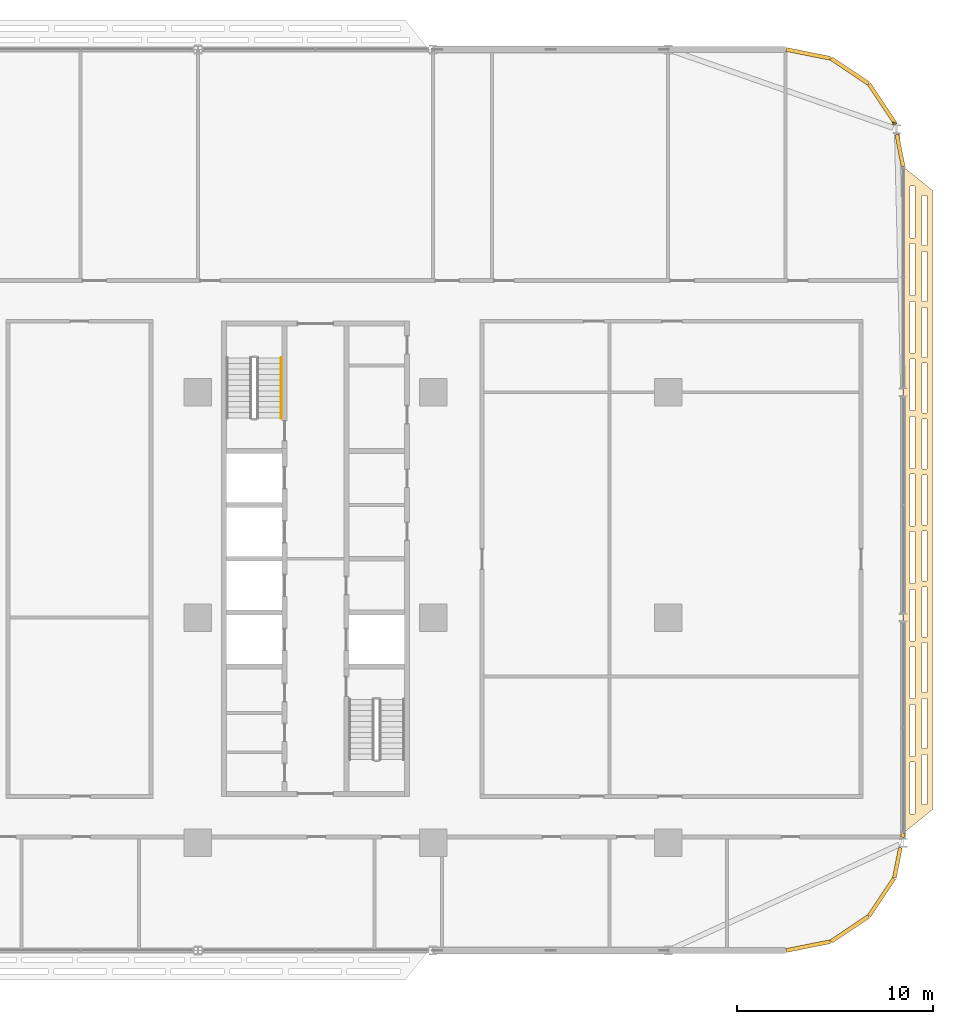
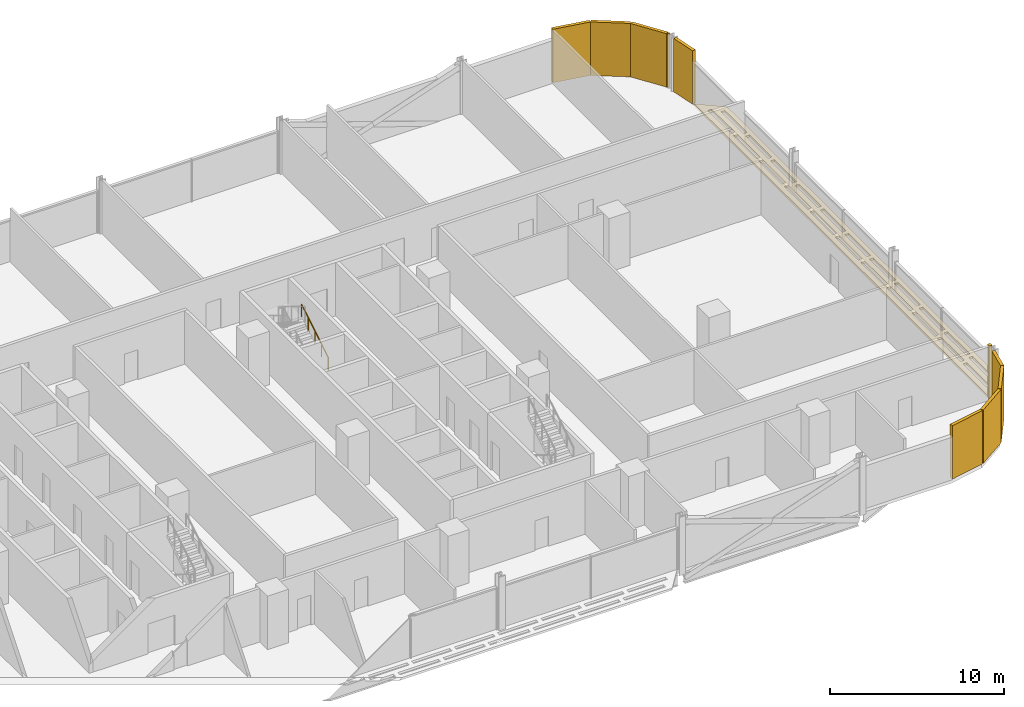
# One storey, part 29 of 29: 11 coverings, 1 railing.
"""IFC4 building model written with IfcOpenShell, lengths in metres."""

from ifc_helpers import new_model, si_unit, direction, frame, origin, origin_2d, place, context, subcontext, project, spatial, polyline, rectangle, circle, outline, extrude, material, layer, layer_set, type_object, element, save


model = new_model("IFC4")

# Units and contexts
model_context = context("Model", 3, precision=1e-05, world=origin(), true_north=direction((0.0, 1.0)))
body_context = subcontext(model_context, "Body", "Model", "MODEL_VIEW")
ifc_project = project(units=[si_unit("LENGTHUNIT", "METRE"), si_unit("AREAUNIT", "SQUARE_METRE"), si_unit("VOLUMEUNIT", "CUBIC_METRE"), si_unit("PLANEANGLEUNIT", "RADIAN"), si_unit("MASSUNIT", "GRAM", prefix="KILO")], contexts=[model_context])

# Site, building, storey
site_placement = place(None, origin())
site = spatial("IfcSite", under=ifc_project, at=site_placement, CompositionType="ELEMENT")
building_placement = place(site_placement, origin())
building = spatial("IfcBuilding", under=site, at=building_placement, Name="Mahtab Terrace Research Tower", CompositionType="ELEMENT")
storey_placement = place(building_placement, frame((0.0, 0.0, 93.0)))
storey = spatial("IfcBuildingStorey", under=building, at=storey_placement, Name="L21", CompositionType="ELEMENT", Elevation=93.0)

# Coverings
ifc_material_1 = material(Name="Black aluminium cladding panel", Category="aluminium")
ifc_layer_1 = layer(ifc_material_1, 0.199951171875)
ifc_layer_set_1 = layer_set([ifc_layer_1], Name="Black metal corner cladding 200")
covering_type_1 = type_object("IfcCoveringType", Name="Black metal corner cladding 200", PredefinedType="CLADDING", material=ifc_layer_set_1)
for number, where, z_axis, x_axis, name in (
    (1, (52.89306640625, 26.26953125, 0.0), (0.0, 0.0, 1.0), (-0.555291490808, 0.831655794326, 0.0), "Corner cladding L21 0"),
    (2, (51.26953125, 27.89306640625, 0.0), (0.0, 0.0, 1.0), (-0.831655794326, 0.555291490808, 0.0), "Corner cladding L21 1"),
    (3, (49.14794921875, 28.771484375, 0.0), (0.0, 0.0, 1.0), (-0.980760981187, 0.195212442692, 0.0), "Corner cladding L21 2"),
    (4, (49.14794921875, -16.771484375, 0.0), (0.0, 0.0, 1.0), (0.980760981187, 0.195212442692, 0.0), "Corner cladding L21 31"),
    (5, (51.26953125, -15.89306640625, 0.0), (0.0, 0.0, 1.0), (0.831655794326, 0.555291490808, 0.0), "Corner cladding L21 32"),
    (6, (52.89306640625, -14.26953125, 0.0), (0.0, 0.0, 1.0), (0.555291490808, 0.831655794326, 0.0), "Corner cladding L21 33"),
):
    element("IfcCovering", number, at=place(storey_placement, frame(where, z_axis=z_axis, x_axis=x_axis)), inside=storey, type_object=covering_type_1, Name=name, PredefinedType="CLADDING", context=body_context, shape_type="SweptSolid", body=[
        extrude(rectangle(XDim=2.30126953125, YDim=0.199951171875, at=origin_2d()), origin(), (0.0, 0.0, 1.0), 3.760009765625),
    ])
covering_1_placement = place(storey_placement, frame((53.699462890625, -12.51025390625, 0.0), z_axis=(0.0, 0.0, 1.0), x_axis=(0.195212442692, 0.980760981187, 0.0)))
element("IfcCovering", 7, at=covering_1_placement, inside=storey, type_object=covering_type_1, Name="Corner cladding L21 34", PredefinedType="CLADDING", context=body_context, shape_type="SweptSolid", body=[
    extrude(rectangle(XDim=1.562744140625, YDim=0.199951171875, at=origin_2d()), origin(), (0.0, 0.0, 1.0), 3.760009765625),
])
covering_2_placement = place(storey_placement, frame((53.977294921875, -11.114013671875, 0.0), z_axis=(0.0, 0.0, 1.0), x_axis=(0.195212442692, 0.980760981187, 0.0)))
element("IfcCovering", 8, at=covering_2_placement, inside=storey, type_object=covering_type_1, Name="Corner cladding L21 35", PredefinedType="CLADDING", context=body_context, shape_type="SweptSolid", body=[
    extrude(rectangle(XDim=0.212158203125, YDim=0.199951171875, at=origin_2d()), origin(), (0.0, 0.0, 1.0), 3.760009765625),
])
covering_3_placement = place(storey_placement, frame((53.833740234375, 23.83544921875, 0.0), z_axis=(0.0, 0.0, 1.0), x_axis=(-0.195212442692, 0.980760981187, 0.0)))
element("IfcCovering", 9, at=covering_3_placement, inside=storey, type_object=covering_type_1, Name="Corner cladding L21 39", PredefinedType="CLADDING", context=body_context, shape_type="SweptSolid", body=[
    extrude(rectangle(XDim=1.6640625, YDim=0.199951171875, at=origin_2d()), origin(), (0.0, 0.0, 1.0), 3.760009765625),
])
covering_4_placement = place(storey_placement, frame((53.5556640625, 25.231689453125, 0.0), z_axis=(0.0, 0.0, 1.0), x_axis=(-0.195212442692, 0.980760981187, 0.0)))
element("IfcCovering", 10, at=covering_4_placement, inside=storey, type_object=covering_type_1, Name="Corner cladding L21 40", PredefinedType="CLADDING", context=body_context, shape_type="SweptSolid", body=[
    extrude(rectangle(XDim=0.11083984375, YDim=0.199951171875, at=origin_2d()), origin(), (0.0, 0.0, 1.0), 3.760009765625),
])
ifc_material_2 = material(Name="Black anodised aluminium", Category="aluminium")
ifc_layer_2 = layer(ifc_material_2, 0.14990234375)
ifc_layer_set_2 = layer_set([ifc_layer_2], Name="Horizontal sunshade band")
covering_type_2 = type_object("IfcCoveringType", Name="Horizontal sunshade band", PredefinedType="CLADDING", material=ifc_layer_set_2)
covering_5_placement = place(storey_placement, frame((0.0, 0.0, -0.14990234375)))
element("IfcCovering", 11, at=covering_5_placement, inside=storey, type_object=covering_type_2, Name="Sunshade band L21 36", PredefinedType="CLADDING", context=body_context, shape_type="SweptSolid", body=[
    extrude(outline(polyline([(54.0, -11.0), (54.0, 23.0), (55.5, 21.800048828125), (55.5, -9.800048828125), (54.0, -11.0)]), holes=[polyline([(54.35009765625, -10.02001953125), (54.35009765625, -7.3798828125), (54.60009765625, -7.3798828125), (54.60009765625, -10.02001953125), (54.35009765625, -10.02001953125)]), polyline([(54.35009765625, -7.080078125), (54.35009765625, -4.43994140625), (54.60009765625, -4.43994140625), (54.60009765625, -7.080078125), (54.35009765625, -7.080078125)]), polyline([(54.35009765625, -4.139892578125), (54.35009765625, -1.5), (54.60009765625, -1.5), (54.60009765625, -4.139892578125), (54.35009765625, -4.139892578125)]), polyline([(54.35009765625, -1.199951171875), (54.35009765625, 1.43994140625), (54.60009765625, 1.43994140625), (54.60009765625, -1.199951171875), (54.35009765625, -1.199951171875)]), polyline([(54.35009765625, 1.739990234375), (54.35009765625, 4.3798828125), (54.60009765625, 4.3798828125), (54.60009765625, 1.739990234375), (54.35009765625, 1.739990234375)]), polyline([(54.35009765625, 4.679931640625), (54.35009765625, 7.320068359375), (54.60009765625, 7.320068359375), (54.60009765625, 4.679931640625), (54.35009765625, 4.679931640625)]), polyline([(54.35009765625, 7.6201171875), (54.35009765625, 10.260009765625), (54.60009765625, 10.260009765625), (54.60009765625, 7.6201171875), (54.35009765625, 7.6201171875)]), polyline([(54.35009765625, 10.56005859375), (54.35009765625, 13.199951171875), (54.60009765625, 13.199951171875), (54.60009765625, 10.56005859375), (54.35009765625, 10.56005859375)]), polyline([(54.35009765625, 13.5), (54.35009765625, 16.139892578125), (54.60009765625, 16.139892578125), (54.60009765625, 13.5), (54.35009765625, 13.5)]), polyline([(54.35009765625, 16.43994140625), (54.35009765625, 19.080078125), (54.60009765625, 19.080078125), (54.60009765625, 16.43994140625), (54.35009765625, 16.43994140625)]), polyline([(54.35009765625, 19.3798828125), (54.35009765625, 22.02001953125), (54.60009765625, 22.02001953125), (54.60009765625, 19.3798828125), (54.35009765625, 19.3798828125)]), polyline([(54.949951171875, -9.5400390625), (54.949951171875, -6.987060546875), (55.199951171875, -6.987060546875), (55.199951171875, -9.5400390625), (54.949951171875, -9.5400390625)]), polyline([(54.949951171875, -6.68701171875), (54.949951171875, -4.135009765625), (55.199951171875, -4.135009765625), (55.199951171875, -6.68701171875), (54.949951171875, -6.68701171875)]), polyline([(54.949951171875, -3.8349609375), (54.949951171875, -1.281982421875), (55.199951171875, -1.281982421875), (55.199951171875, -3.8349609375), (54.949951171875, -3.8349609375)]), polyline([(54.949951171875, -0.98193359375), (54.949951171875, 1.571044921875), (55.199951171875, 1.571044921875), (55.199951171875, -0.98193359375), (54.949951171875, -0.98193359375)]), polyline([(54.949951171875, 1.87109375), (54.949951171875, 4.424072265625), (55.199951171875, 4.424072265625), (55.199951171875, 1.87109375), (54.949951171875, 1.87109375)]), polyline([(54.949951171875, 4.72412109375), (54.949951171875, 7.27587890625), (55.199951171875, 7.27587890625), (55.199951171875, 4.72412109375), (54.949951171875, 4.72412109375)]), polyline([(54.949951171875, 7.575927734375), (54.949951171875, 10.12890625), (55.199951171875, 10.12890625), (55.199951171875, 7.575927734375), (54.949951171875, 7.575927734375)]), polyline([(54.949951171875, 10.428955078125), (54.949951171875, 12.98193359375), (55.199951171875, 12.98193359375), (55.199951171875, 10.428955078125), (54.949951171875, 10.428955078125)]), polyline([(54.949951171875, 13.281982421875), (54.949951171875, 15.8349609375), (55.199951171875, 15.8349609375), (55.199951171875, 13.281982421875), (54.949951171875, 13.281982421875)]), polyline([(54.949951171875, 16.135009765625), (54.949951171875, 18.68701171875), (55.199951171875, 18.68701171875), (55.199951171875, 16.135009765625), (54.949951171875, 16.135009765625)]), polyline([(54.949951171875, 18.987060546875), (54.949951171875, 21.5400390625), (55.199951171875, 21.5400390625), (55.199951171875, 18.987060546875), (54.949951171875, 18.987060546875)])]), origin(), (0.0, 0.0, 1.0), 0.14990234375),
])

# Railing
ifc_material_3 = material(Name="Stainless steel AISI 304", Category="steel")
railing_type = type_object("IfcRailingType", Name="Stair handrail 900", PredefinedType="HANDRAIL", material=ifc_material_3)
railing_placement = place(storey_placement, frame((22.25, 10.175048828125, 0.1708984375)))
element("IfcRailing", 12, at=railing_placement, inside=storey, type_object=railing_type, Name="L21 ST3 stair handrail 1", PredefinedType="HANDRAIL", context=body_context, shape_type="SweptSolid", body=[
    extrude(circle(Radius=0.02392578125, at=origin_2d()), frame((0.0, 0.0, 0.8759765625), z_axis=(0.0, 0.853647949592, 0.520850437417), x_axis=(-1.0, 0.0, 0.0)), (0.0, 0.0, 1.0), 3.60791015625),
    extrude(circle(Radius=0.02099609375, at=origin_2d()), origin(), (0.0, 0.0, 1.0), 0.851806640625),
    extrude(circle(Radius=0.02099609375, at=origin_2d()), frame((0.0, 0.77001953125, 0.4697265625)), (0.0, 0.0, 1.0), 0.851806640625),
    extrude(circle(Radius=0.02099609375, at=origin_2d()), frame((0.0, 1.5400390625, 0.939453125)), (0.0, 0.0, 1.0), 0.851806640625),
    extrude(circle(Radius=0.02099609375, at=origin_2d()), frame((0.0, 2.309814453125, 1.409423828125)), (0.0, 0.0, 1.0), 0.851806640625),
    extrude(circle(Radius=0.02099609375, at=origin_2d()), frame((0.0, 3.079833984375, 1.879150390625)), (0.0, 0.0, 1.0), 0.851806640625),
])

save(model, "model.ifc")
